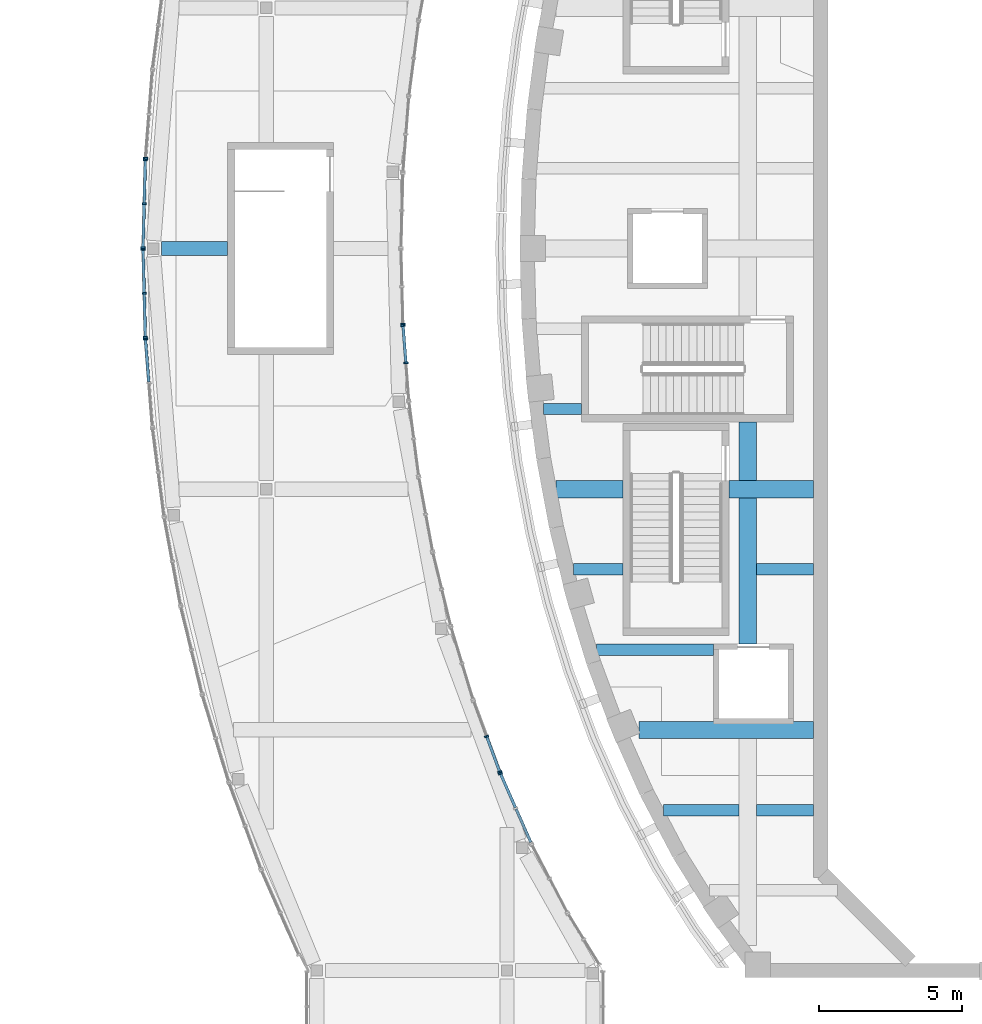
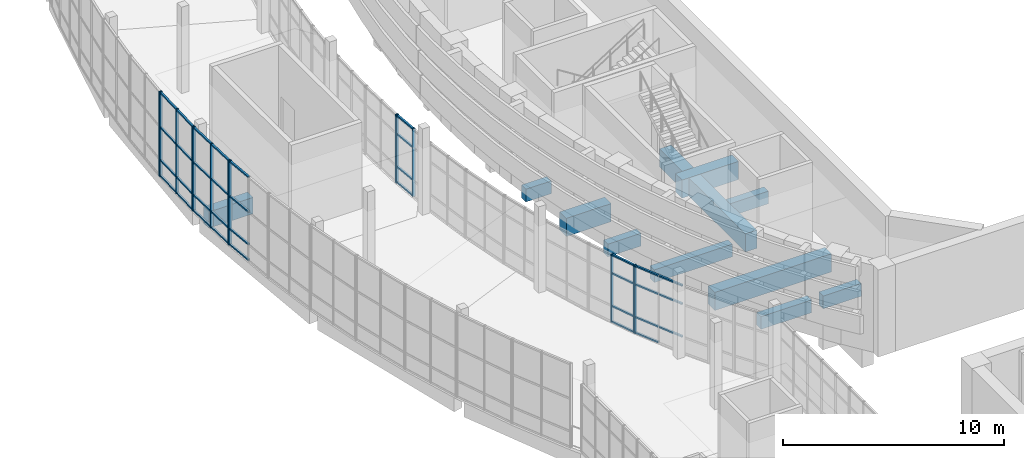
# One storey, part 12 of 103: 49 members, 11 beams, 8 elements without a shape of their own.
"""IFC4 building model written with IfcOpenShell, lengths in metres."""

from ifc_helpers import new_model, si_unit, direction, frame, origin, origin_2d, place, context, subcontext, project, spatial, rectangle, extrude, material, layer, layer_set, material_profile, profile_set, type_object, element, aggregate, save


model = new_model("IFC4")

# Units and contexts
model_context = context("Model", 3, precision=1e-05, world=origin(), true_north=direction((0.0, 1.0)))
body_context = subcontext(model_context, "Body", "Model", "MODEL_VIEW")
ifc_project = project(units=[si_unit("LENGTHUNIT", "METRE"), si_unit("AREAUNIT", "SQUARE_METRE"), si_unit("VOLUMEUNIT", "CUBIC_METRE"), si_unit("PLANEANGLEUNIT", "RADIAN"), si_unit("MASSUNIT", "GRAM", prefix="KILO")], contexts=[model_context])

# Site, building, storey
site_placement = place(None, origin())
site = spatial("IfcSite", under=ifc_project, at=site_placement, CompositionType="ELEMENT")
building_placement = place(site_placement, origin())
building = spatial("IfcBuilding", under=site, at=building_placement, Name="Larchfold Concert Hall", CompositionType="ELEMENT")
storey_placement = place(building_placement, frame((0.0, 0.0, 9.60009765625)))
storey = spatial("IfcBuildingStorey", under=building, at=storey_placement, Name="L02", CompositionType="ELEMENT", Elevation=9.60009765625)

# Curtain wall, member
ifc_material_1 = material(Name="Anodised graphite aluminium curtain wall", Category="aluminium")
ifc_layer = layer(ifc_material_1, 0.14990234375)
ifc_layer_set = layer_set([ifc_layer], Name="Anodised graphite aluminium curtain wall")
curtain_wall_type = type_object("IfcCurtainWallType", Name="Curtain wall WG", PredefinedType="NOTDEFINED", material=ifc_layer_set)
curtain_wall_1_placement = place(storey_placement, origin())
curtain_wall_1 = element("IfcCurtainWall", 1, at=curtain_wall_1_placement, inside=storey, type_object=curtain_wall_type, Name="Curtain wall CW0216", PredefinedType="NOTDEFINED")
ifc_material_2 = material(Name="Anodised graphite aluminium mullion", Category="aluminium")
ifc_material_profile_1 = material_profile(ifc_material_2, rectangle(XDim=0.14990234375, YDim=0.06005859375, at=origin_2d()))
ifc_profile_set_1 = profile_set([ifc_material_profile_1], Name="Anodised graphite aluminium mullion")
member_type_1 = type_object("IfcMemberType", Name="Aluminium mullion 60x150", PredefinedType="MULLION", material=ifc_profile_set_1)
member_1_placement = place(storey_placement, frame((17.16845703125, 66.276611328125, 0.0), z_axis=(0.0, 0.0, 1.0), x_axis=(-0.914743817973, -0.404034339481, 0.0)))
member_1 = element("IfcMember", 2, at=member_1_placement, type_object=member_type_1, Name="CW0216 mullion 3", PredefinedType="MULLION", context=body_context, shape_type="SweptSolid", body=[
    extrude(rectangle(XDim=0.14990234375, YDim=0.06005859375, at=origin_2d()), origin(), (0.0, 0.0, 1.0), 3.75),
])

# Curtain wall, members
curtain_wall_2_placement = place(storey_placement, origin())
curtain_wall_2 = element("IfcCurtainWall", 3, at=curtain_wall_2_placement, inside=storey, type_object=curtain_wall_type, Name="Curtain wall CW0217", PredefinedType="NOTDEFINED")
member_2_placement = place(storey_placement, frame((17.145751953125, 66.33203125, 0.0), z_axis=(0.0, 0.0, 1.0), x_axis=(-0.938001528432, -0.346631119, 0.0)))
member_2 = element("IfcMember", 4, at=member_2_placement, type_object=member_type_1, Name="CW0217 mullion 1", PredefinedType="MULLION", context=body_context, shape_type="SweptSolid", body=[
    extrude(rectangle(XDim=0.14990234375, YDim=0.06005859375, at=origin_2d()), origin(), (0.0, 0.0, 1.0), 3.75),
])
member_3_placement = place(storey_placement, frame((16.688232421875, 67.5703125, 0.0), z_axis=(0.0, 0.0, 1.0), x_axis=(-0.938001528432, -0.346631119, 0.0)))
member_3 = element("IfcMember", 5, at=member_3_placement, type_object=member_type_1, Name="CW0217 mullion 2", PredefinedType="MULLION", context=body_context, shape_type="SweptSolid", body=[
    extrude(rectangle(XDim=0.14990234375, YDim=0.06005859375, at=origin_2d()), origin(), (0.0, 0.0, 1.0), 3.75),
])

curtain_wall_3_placement = place(storey_placement, origin())
curtain_wall_3 = element("IfcCurtainWall", 6, at=curtain_wall_3_placement, inside=storey, type_object=curtain_wall_type, Name="Curtain wall CW0222", PredefinedType="NOTDEFINED")
member_4_placement = place(storey_placement, frame((13.87060546875, 80.61181640625, 0.0), z_axis=(0.0, 0.0, 1.0), x_axis=(-0.996988332974, -0.07755168544, 0.0)))
member_4 = element("IfcMember", 7, at=member_4_placement, type_object=member_type_1, Name="CW0222 mullion 2", PredefinedType="MULLION", context=body_context, shape_type="SweptSolid", body=[
    extrude(rectangle(XDim=0.14990234375, YDim=0.06005859375, at=origin_2d()), origin(), (0.0, 0.0, 1.0), 3.75),
])
member_5_placement = place(storey_placement, frame((13.769775390625, 81.909423828125, 0.0), z_axis=(0.0, 0.0, 1.0), x_axis=(-0.996988332974, -0.07755168544, 0.0)))
member_5 = element("IfcMember", 8, at=member_5_placement, type_object=member_type_1, Name="CW0222 mullion 3", PredefinedType="MULLION", context=body_context, shape_type="SweptSolid", body=[
    extrude(rectangle(XDim=0.14990234375, YDim=0.06005859375, at=origin_2d()), origin(), (0.0, 0.0, 1.0), 3.75),
])

# Curtain wall, member
curtain_wall_4_placement = place(storey_placement, origin())
curtain_wall_4 = element("IfcCurtainWall", 9, at=curtain_wall_4_placement, inside=storey, type_object=curtain_wall_type, Name="Curtain wall CW0223", PredefinedType="NOTDEFINED")
member_6_placement = place(storey_placement, frame((13.7666015625, 81.969482421875, 0.0), z_axis=(0.0, 0.0, 1.0), x_axis=(-0.999667744222, -0.02577598033, 0.0)))
member_6 = element("IfcMember", 10, at=member_6_placement, type_object=member_type_1, Name="CW0223 mullion 1", PredefinedType="MULLION", context=body_context, shape_type="SweptSolid", body=[
    extrude(rectangle(XDim=0.14990234375, YDim=0.06005859375, at=origin_2d()), origin(), (0.0, 0.0, 1.0), 3.75),
])
aggregate(curtain_wall_4, [member_6])

curtain_wall_5_placement = place(storey_placement, origin())
curtain_wall_5 = element("IfcCurtainWall", 11, at=curtain_wall_5_placement, inside=storey, type_object=curtain_wall_type, Name="Curtain wall CW0272", PredefinedType="NOTDEFINED")
member_7_placement = place(storey_placement, frame((4.77880859375, 87.755859375, 0.0), z_axis=(0.0, 0.0, 1.0), x_axis=(0.996995051834, -0.077465260721, 0.0)))
member_7 = element("IfcMember", 12, at=member_7_placement, type_object=member_type_1, Name="CW0272 mullion 3", PredefinedType="MULLION", context=body_context, shape_type="SweptSolid", body=[
    extrude(rectangle(XDim=0.14990234375, YDim=0.06005859375, at=origin_2d()), origin(), (0.0, 0.0, 1.0), 4.64990234375),
])
aggregate(curtain_wall_5, [member_7])

# Curtain wall, members
curtain_wall_6_placement = place(storey_placement, origin())
curtain_wall_6 = element("IfcCurtainWall", 13, at=curtain_wall_6_placement, inside=storey, type_object=curtain_wall_type, Name="Curtain wall CW0273", PredefinedType="NOTDEFINED")
member_8_placement = place(storey_placement, frame((4.775634765625, 87.69580078125, 0.0), z_axis=(0.0, 0.0, 1.0), x_axis=(0.999665970473, -0.025844679897, 0.0)))
member_8 = element("IfcMember", 14, at=member_8_placement, type_object=member_type_1, Name="CW0273 mullion 1", PredefinedType="MULLION", context=body_context, shape_type="SweptSolid", body=[
    extrude(rectangle(XDim=0.14990234375, YDim=0.06005859375, at=origin_2d()), origin(), (0.0, 0.0, 1.0), 4.64990234375),
])
member_9_placement = place(storey_placement, frame((4.73583984375, 86.162841796875, 0.0), z_axis=(0.0, 0.0, 1.0), x_axis=(0.999665970473, -0.025844679897, 0.0)))
member_9 = element("IfcMember", 15, at=member_9_placement, type_object=member_type_1, Name="CW0273 mullion 2", PredefinedType="MULLION", context=body_context, shape_type="SweptSolid", body=[
    extrude(rectangle(XDim=0.14990234375, YDim=0.06005859375, at=origin_2d()), origin(), (0.0, 0.0, 1.0), 4.64990234375),
])
member_10_placement = place(storey_placement, frame((4.6962890625, 84.630126953125, 0.0), z_axis=(0.0, 0.0, 1.0), x_axis=(0.999665970473, -0.025844679897, 0.0)))
member_10 = element("IfcMember", 16, at=member_10_placement, type_object=member_type_1, Name="CW0273 mullion 3", PredefinedType="MULLION", context=body_context, shape_type="SweptSolid", body=[
    extrude(rectangle(XDim=0.14990234375, YDim=0.06005859375, at=origin_2d()), origin(), (0.0, 0.0, 1.0), 4.64990234375),
])

curtain_wall_7_placement = place(storey_placement, origin())
curtain_wall_7 = element("IfcCurtainWall", 17, at=curtain_wall_7_placement, inside=storey, type_object=curtain_wall_type, Name="Curtain wall CW0274", PredefinedType="NOTDEFINED")
member_11_placement = place(storey_placement, frame((4.6962890625, 84.570068359375, 0.0), z_axis=(0.0, 0.0, 1.0), x_axis=(0.999665970473, 0.025844679897, 0.0)))
member_11 = element("IfcMember", 18, at=member_11_placement, type_object=member_type_1, Name="CW0274 mullion 1", PredefinedType="MULLION", context=body_context, shape_type="SweptSolid", body=[
    extrude(rectangle(XDim=0.14990234375, YDim=0.06005859375, at=origin_2d()), origin(), (0.0, 0.0, 1.0), 4.64990234375),
])
member_12_placement = place(storey_placement, frame((4.73583984375, 83.037109375, 0.0), z_axis=(0.0, 0.0, 1.0), x_axis=(0.999665970473, 0.025844679897, 0.0)))
member_12 = element("IfcMember", 19, at=member_12_placement, type_object=member_type_1, Name="CW0274 mullion 2", PredefinedType="MULLION", context=body_context, shape_type="SweptSolid", body=[
    extrude(rectangle(XDim=0.14990234375, YDim=0.06005859375, at=origin_2d()), origin(), (0.0, 0.0, 1.0), 4.64990234375),
])
member_13_placement = place(storey_placement, frame((4.775634765625, 81.50439453125, 0.0), z_axis=(0.0, 0.0, 1.0), x_axis=(0.999665970473, 0.025844679897, 0.0)))
member_13 = element("IfcMember", 20, at=member_13_placement, type_object=member_type_1, Name="CW0274 mullion 3", PredefinedType="MULLION", context=body_context, shape_type="SweptSolid", body=[
    extrude(rectangle(XDim=0.14990234375, YDim=0.06005859375, at=origin_2d()), origin(), (0.0, 0.0, 1.0), 4.64990234375),
])

# Curtain wall, member
curtain_wall_8_placement = place(storey_placement, origin())
curtain_wall_8 = element("IfcCurtainWall", 21, at=curtain_wall_8_placement, inside=storey, type_object=curtain_wall_type, Name="Curtain wall CW0275", PredefinedType="NOTDEFINED")
member_14_placement = place(storey_placement, frame((4.77880859375, 81.4443359375, 0.0), z_axis=(0.0, 0.0, 1.0), x_axis=(0.996995051833, 0.077465260739, 0.0)))
member_14 = element("IfcMember", 22, at=member_14_placement, type_object=member_type_1, Name="CW0275 mullion 1", PredefinedType="MULLION", context=body_context, shape_type="SweptSolid", body=[
    extrude(rectangle(XDim=0.14990234375, YDim=0.06005859375, at=origin_2d()), origin(), (0.0, 0.0, 1.0), 4.64990234375),
])

# Member
ifc_material_3 = material(Name="Anodised graphite aluminium transom", Category="aluminium")
ifc_material_profile_2 = material_profile(ifc_material_3, rectangle(XDim=0.10009765625, YDim=0.080078125, at=origin_2d()))
ifc_profile_set_2 = profile_set([ifc_material_profile_2], Name="Anodised graphite aluminium transom")
member_type_2 = type_object("IfcMemberType", Name="Aluminium transom 80x100", PredefinedType="USERDEFINED", material=ifc_profile_set_2)
member_15_placement = place(storey_placement, frame((18.228759765625, 63.8759765625, 0.89990234375), z_axis=(-0.404010149688, 0.914754502011, 0.0), x_axis=(-0.914754502011, -0.404010149688, 0.0)))
member_15 = element("IfcMember", 23, at=member_15_placement, type_object=member_type_2, Name="CW0216 transom 1.2", ObjectType="TRANSOM", PredefinedType="USERDEFINED", context=body_context, shape_type="SweptSolid", body=[
    extrude(rectangle(XDim=0.10009765625, YDim=0.080078125, at=origin_2d()), origin(), (0.0, 0.0, 1.0), 1.26708984375),
])

member_16_placement = place(storey_placement, frame((18.228759765625, 63.8759765625, 2.699951171875), z_axis=(-0.404010149688, 0.914754502011, 0.0), x_axis=(-0.914754502011, -0.404010149688, 0.0)))
member_16 = element("IfcMember", 24, at=member_16_placement, type_object=member_type_2, Name="CW0216 transom 1.3", ObjectType="TRANSOM", PredefinedType="USERDEFINED", context=body_context, shape_type="SweptSolid", body=[
    extrude(rectangle(XDim=0.10009765625, YDim=0.080078125, at=origin_2d()), origin(), (0.0, 0.0, 1.0), 1.26708984375),
])

member_17_placement = place(storey_placement, frame((18.228759765625, 63.8759765625, 3.7099609375), z_axis=(-0.404010149688, 0.914754502011, 0.0), x_axis=(-0.914754502011, -0.404010149688, 0.0)))
member_17 = element("IfcMember", 25, at=member_17_placement, type_object=member_type_2, Name="CW0216 transom 1.4", ObjectType="TRANSOM", PredefinedType="USERDEFINED", context=body_context, shape_type="SweptSolid", body=[
    extrude(rectangle(XDim=0.10009765625, YDim=0.080078125, at=origin_2d()), origin(), (0.0, 0.0, 1.0), 1.26708984375),
])

member_18_placement = place(storey_placement, frame((17.6923828125, 65.08984375, 0.0400390625), z_axis=(-0.404010149688, 0.914754502011, 0.0), x_axis=(-0.914754502011, -0.404010149688, 0.0)))
member_18 = element("IfcMember", 26, at=member_18_placement, type_object=member_type_2, Name="CW0216 transom 2.1", ObjectType="TRANSOM", PredefinedType="USERDEFINED", context=body_context, shape_type="SweptSolid", body=[
    extrude(rectangle(XDim=0.10009765625, YDim=0.080078125, at=origin_2d()), origin(), (0.0, 0.0, 1.0), 1.26708984375),
])

member_19_placement = place(storey_placement, frame((17.6923828125, 65.08984375, 0.89990234375), z_axis=(-0.404010149688, 0.914754502011, 0.0), x_axis=(-0.914754502011, -0.404010149688, 0.0)))
member_19 = element("IfcMember", 27, at=member_19_placement, type_object=member_type_2, Name="CW0216 transom 2.2", ObjectType="TRANSOM", PredefinedType="USERDEFINED", context=body_context, shape_type="SweptSolid", body=[
    extrude(rectangle(XDim=0.10009765625, YDim=0.080078125, at=origin_2d()), origin(), (0.0, 0.0, 1.0), 1.26708984375),
])

member_20_placement = place(storey_placement, frame((17.6923828125, 65.08984375, 2.699951171875), z_axis=(-0.404010149688, 0.914754502011, 0.0), x_axis=(-0.914754502011, -0.404010149688, 0.0)))
member_20 = element("IfcMember", 28, at=member_20_placement, type_object=member_type_2, Name="CW0216 transom 2.3", ObjectType="TRANSOM", PredefinedType="USERDEFINED", context=body_context, shape_type="SweptSolid", body=[
    extrude(rectangle(XDim=0.10009765625, YDim=0.080078125, at=origin_2d()), origin(), (0.0, 0.0, 1.0), 1.26708984375),
])

member_21_placement = place(storey_placement, frame((17.6923828125, 65.08984375, 3.7099609375), z_axis=(-0.404010149688, 0.914754502011, 0.0), x_axis=(-0.914754502011, -0.404010149688, 0.0)))
member_21 = element("IfcMember", 29, at=member_21_placement, type_object=member_type_2, Name="CW0216 transom 2.4", ObjectType="TRANSOM", PredefinedType="USERDEFINED", context=body_context, shape_type="SweptSolid", body=[
    extrude(rectangle(XDim=0.10009765625, YDim=0.080078125, at=origin_2d()), origin(), (0.0, 0.0, 1.0), 1.26708984375),
])

aggregate(curtain_wall_1, [member_1, member_15, member_16, member_17, member_18, member_19, member_20, member_21])

member_22_placement = place(storey_placement, frame((17.135498046875, 66.3603515625, 0.0400390625), z_axis=(-0.346639022733, 0.937998607631, 0.0), x_axis=(-0.937998607631, -0.346639022733, 0.0)))
member_22 = element("IfcMember", 30, at=member_22_placement, type_object=member_type_2, Name="CW0217 transom 1.1", ObjectType="TRANSOM", PredefinedType="USERDEFINED", context=body_context, shape_type="SweptSolid", body=[
    extrude(rectangle(XDim=0.10009765625, YDim=0.080078125, at=origin_2d()), origin(), (0.0, 0.0, 1.0), 1.260009765625),
])

member_23_placement = place(storey_placement, frame((17.135498046875, 66.3603515625, 0.89990234375), z_axis=(-0.346639022733, 0.937998607631, 0.0), x_axis=(-0.937998607631, -0.346639022733, 0.0)))
member_23 = element("IfcMember", 31, at=member_23_placement, type_object=member_type_2, Name="CW0217 transom 1.2", ObjectType="TRANSOM", PredefinedType="USERDEFINED", context=body_context, shape_type="SweptSolid", body=[
    extrude(rectangle(XDim=0.10009765625, YDim=0.080078125, at=origin_2d()), origin(), (0.0, 0.0, 1.0), 1.260009765625),
])

member_24_placement = place(storey_placement, frame((17.135498046875, 66.3603515625, 2.699951171875), z_axis=(-0.346639022733, 0.937998607631, 0.0), x_axis=(-0.937998607631, -0.346639022733, 0.0)))
member_24 = element("IfcMember", 32, at=member_24_placement, type_object=member_type_2, Name="CW0217 transom 1.3", ObjectType="TRANSOM", PredefinedType="USERDEFINED", context=body_context, shape_type="SweptSolid", body=[
    extrude(rectangle(XDim=0.10009765625, YDim=0.080078125, at=origin_2d()), origin(), (0.0, 0.0, 1.0), 1.260009765625),
])

member_25_placement = place(storey_placement, frame((17.135498046875, 66.3603515625, 3.7099609375), z_axis=(-0.346639022733, 0.937998607631, 0.0), x_axis=(-0.937998607631, -0.346639022733, 0.0)))
member_25 = element("IfcMember", 33, at=member_25_placement, type_object=member_type_2, Name="CW0217 transom 1.4", ObjectType="TRANSOM", PredefinedType="USERDEFINED", context=body_context, shape_type="SweptSolid", body=[
    extrude(rectangle(XDim=0.10009765625, YDim=0.080078125, at=origin_2d()), origin(), (0.0, 0.0, 1.0), 1.260009765625),
])

aggregate(curtain_wall_2, [member_2, member_3, member_22, member_23, member_24, member_25])

member_26_placement = place(storey_placement, frame((13.8681640625, 80.641845703125, 0.0400390625), z_axis=(-0.077478431398, 0.996994028401, 0.0), x_axis=(-0.996994028401, -0.077478431398, 0.0)))
member_26 = element("IfcMember", 34, at=member_26_placement, type_object=member_type_2, Name="CW0222 transom 2.1", ObjectType="TRANSOM", PredefinedType="USERDEFINED", context=body_context, shape_type="SweptSolid", body=[
    extrude(rectangle(XDim=0.10009765625, YDim=0.080078125, at=origin_2d()), origin(), (0.0, 0.0, 1.0), 1.241455078125),
])

member_27_placement = place(storey_placement, frame((13.8681640625, 80.641845703125, 0.89990234375), z_axis=(-0.077478431398, 0.996994028401, 0.0), x_axis=(-0.996994028401, -0.077478431398, 0.0)))
member_27 = element("IfcMember", 35, at=member_27_placement, type_object=member_type_2, Name="CW0222 transom 2.2", ObjectType="TRANSOM", PredefinedType="USERDEFINED", context=body_context, shape_type="SweptSolid", body=[
    extrude(rectangle(XDim=0.10009765625, YDim=0.080078125, at=origin_2d()), origin(), (0.0, 0.0, 1.0), 1.241455078125),
])

member_28_placement = place(storey_placement, frame((13.8681640625, 80.641845703125, 2.699951171875), z_axis=(-0.077478431398, 0.996994028401, 0.0), x_axis=(-0.996994028401, -0.077478431398, 0.0)))
member_28 = element("IfcMember", 36, at=member_28_placement, type_object=member_type_2, Name="CW0222 transom 2.3", ObjectType="TRANSOM", PredefinedType="USERDEFINED", context=body_context, shape_type="SweptSolid", body=[
    extrude(rectangle(XDim=0.10009765625, YDim=0.080078125, at=origin_2d()), origin(), (0.0, 0.0, 1.0), 1.241455078125),
])

member_29_placement = place(storey_placement, frame((13.8681640625, 80.641845703125, 3.7099609375), z_axis=(-0.077478431398, 0.996994028401, 0.0), x_axis=(-0.996994028401, -0.077478431398, 0.0)))
member_29 = element("IfcMember", 37, at=member_29_placement, type_object=member_type_2, Name="CW0222 transom 2.4", ObjectType="TRANSOM", PredefinedType="USERDEFINED", context=body_context, shape_type="SweptSolid", body=[
    extrude(rectangle(XDim=0.10009765625, YDim=0.080078125, at=origin_2d()), origin(), (0.0, 0.0, 1.0), 1.241455078125),
])

aggregate(curtain_wall_3, [member_4, member_5, member_26, member_27, member_28, member_29])

member_30_placement = place(storey_placement, frame((4.77490234375, 87.665771484375, 0.0400390625), z_axis=(-0.025849141952, -0.999665855104, 0.0), x_axis=(0.999665855104, -0.025849141952, 0.0)))
member_30 = element("IfcMember", 38, at=member_30_placement, type_object=member_type_2, Name="CW0273 transom 1.1", ObjectType="TRANSOM", PredefinedType="USERDEFINED", context=body_context, shape_type="SweptSolid", body=[
    extrude(rectangle(XDim=0.10009765625, YDim=0.080078125, at=origin_2d()), origin(), (0.0, 0.0, 1.0), 1.473388671875),
])

member_31_placement = place(storey_placement, frame((4.77490234375, 87.665771484375, 0.89990234375), z_axis=(-0.025849141952, -0.999665855104, 0.0), x_axis=(0.999665855104, -0.025849141952, 0.0)))
member_31 = element("IfcMember", 39, at=member_31_placement, type_object=member_type_2, Name="CW0273 transom 1.2", ObjectType="TRANSOM", PredefinedType="USERDEFINED", context=body_context, shape_type="SweptSolid", body=[
    extrude(rectangle(XDim=0.10009765625, YDim=0.080078125, at=origin_2d()), origin(), (0.0, 0.0, 1.0), 1.473388671875),
])

member_32_placement = place(storey_placement, frame((4.77490234375, 87.665771484375, 2.699951171875), z_axis=(-0.025849141952, -0.999665855104, 0.0), x_axis=(0.999665855104, -0.025849141952, 0.0)))
member_32 = element("IfcMember", 40, at=member_32_placement, type_object=member_type_2, Name="CW0273 transom 1.3", ObjectType="TRANSOM", PredefinedType="USERDEFINED", context=body_context, shape_type="SweptSolid", body=[
    extrude(rectangle(XDim=0.10009765625, YDim=0.080078125, at=origin_2d()), origin(), (0.0, 0.0, 1.0), 1.473388671875),
])

member_33_placement = place(storey_placement, frame((4.77490234375, 87.665771484375, 4.60986328125), z_axis=(-0.025849141952, -0.999665855104, 0.0), x_axis=(0.999665855104, -0.025849141952, 0.0)))
member_33 = element("IfcMember", 41, at=member_33_placement, type_object=member_type_2, Name="CW0273 transom 1.4", ObjectType="TRANSOM", PredefinedType="USERDEFINED", context=body_context, shape_type="SweptSolid", body=[
    extrude(rectangle(XDim=0.10009765625, YDim=0.080078125, at=origin_2d()), origin(), (0.0, 0.0, 1.0), 1.473388671875),
])

member_34_placement = place(storey_placement, frame((4.735107421875, 86.133056640625, 0.0400390625), z_axis=(-0.025849141952, -0.999665855104, 0.0), x_axis=(0.999665855104, -0.025849141952, 0.0)))
member_34 = element("IfcMember", 42, at=member_34_placement, type_object=member_type_2, Name="CW0273 transom 2.1", ObjectType="TRANSOM", PredefinedType="USERDEFINED", context=body_context, shape_type="SweptSolid", body=[
    extrude(rectangle(XDim=0.10009765625, YDim=0.080078125, at=origin_2d()), origin(), (0.0, 0.0, 1.0), 1.473388671875),
])

member_35_placement = place(storey_placement, frame((4.735107421875, 86.133056640625, 0.89990234375), z_axis=(-0.025849141952, -0.999665855104, 0.0), x_axis=(0.999665855104, -0.025849141952, 0.0)))
member_35 = element("IfcMember", 43, at=member_35_placement, type_object=member_type_2, Name="CW0273 transom 2.2", ObjectType="TRANSOM", PredefinedType="USERDEFINED", context=body_context, shape_type="SweptSolid", body=[
    extrude(rectangle(XDim=0.10009765625, YDim=0.080078125, at=origin_2d()), origin(), (0.0, 0.0, 1.0), 1.473388671875),
])

member_36_placement = place(storey_placement, frame((4.735107421875, 86.133056640625, 2.699951171875), z_axis=(-0.025849141952, -0.999665855104, 0.0), x_axis=(0.999665855104, -0.025849141952, 0.0)))
member_36 = element("IfcMember", 44, at=member_36_placement, type_object=member_type_2, Name="CW0273 transom 2.3", ObjectType="TRANSOM", PredefinedType="USERDEFINED", context=body_context, shape_type="SweptSolid", body=[
    extrude(rectangle(XDim=0.10009765625, YDim=0.080078125, at=origin_2d()), origin(), (0.0, 0.0, 1.0), 1.473388671875),
])

member_37_placement = place(storey_placement, frame((4.735107421875, 86.133056640625, 4.60986328125), z_axis=(-0.025849141952, -0.999665855104, 0.0), x_axis=(0.999665855104, -0.025849141952, 0.0)))
member_37 = element("IfcMember", 45, at=member_37_placement, type_object=member_type_2, Name="CW0273 transom 2.4", ObjectType="TRANSOM", PredefinedType="USERDEFINED", context=body_context, shape_type="SweptSolid", body=[
    extrude(rectangle(XDim=0.10009765625, YDim=0.080078125, at=origin_2d()), origin(), (0.0, 0.0, 1.0), 1.473388671875),
])

aggregate(curtain_wall_6, [member_8, member_9, member_10, member_30, member_31, member_32, member_33, member_34, member_35, member_36, member_37])

member_38_placement = place(storey_placement, frame((4.697021484375, 84.5400390625, 0.0400390625), z_axis=(0.025849141952, -0.999665855104, 0.0), x_axis=(0.999665855104, 0.025849141952, 0.0)))
member_38 = element("IfcMember", 46, at=member_38_placement, type_object=member_type_2, Name="CW0274 transom 1.1", ObjectType="TRANSOM", PredefinedType="USERDEFINED", context=body_context, shape_type="SweptSolid", body=[
    extrude(rectangle(XDim=0.10009765625, YDim=0.080078125, at=origin_2d()), origin(), (0.0, 0.0, 1.0), 1.473388671875),
])

member_39_placement = place(storey_placement, frame((4.697021484375, 84.5400390625, 0.89990234375), z_axis=(0.025849141952, -0.999665855104, 0.0), x_axis=(0.999665855104, 0.025849141952, 0.0)))
member_39 = element("IfcMember", 47, at=member_39_placement, type_object=member_type_2, Name="CW0274 transom 1.2", ObjectType="TRANSOM", PredefinedType="USERDEFINED", context=body_context, shape_type="SweptSolid", body=[
    extrude(rectangle(XDim=0.10009765625, YDim=0.080078125, at=origin_2d()), origin(), (0.0, 0.0, 1.0), 1.473388671875),
])

member_40_placement = place(storey_placement, frame((4.697021484375, 84.5400390625, 2.699951171875), z_axis=(0.025849141952, -0.999665855104, 0.0), x_axis=(0.999665855104, 0.025849141952, 0.0)))
member_40 = element("IfcMember", 48, at=member_40_placement, type_object=member_type_2, Name="CW0274 transom 1.3", ObjectType="TRANSOM", PredefinedType="USERDEFINED", context=body_context, shape_type="SweptSolid", body=[
    extrude(rectangle(XDim=0.10009765625, YDim=0.080078125, at=origin_2d()), origin(), (0.0, 0.0, 1.0), 1.473388671875),
])

member_41_placement = place(storey_placement, frame((4.697021484375, 84.5400390625, 4.60986328125), z_axis=(0.025849141952, -0.999665855104, 0.0), x_axis=(0.999665855104, 0.025849141952, 0.0)))
member_41 = element("IfcMember", 49, at=member_41_placement, type_object=member_type_2, Name="CW0274 transom 1.4", ObjectType="TRANSOM", PredefinedType="USERDEFINED", context=body_context, shape_type="SweptSolid", body=[
    extrude(rectangle(XDim=0.10009765625, YDim=0.080078125, at=origin_2d()), origin(), (0.0, 0.0, 1.0), 1.473388671875),
])

member_42_placement = place(storey_placement, frame((4.73681640625, 83.00732421875, 0.0400390625), z_axis=(0.025849141952, -0.999665855104, 0.0), x_axis=(0.999665855104, 0.025849141952, 0.0)))
member_42 = element("IfcMember", 50, at=member_42_placement, type_object=member_type_2, Name="CW0274 transom 2.1", ObjectType="TRANSOM", PredefinedType="USERDEFINED", context=body_context, shape_type="SweptSolid", body=[
    extrude(rectangle(XDim=0.10009765625, YDim=0.080078125, at=origin_2d()), origin(), (0.0, 0.0, 1.0), 1.473388671875),
])

member_43_placement = place(storey_placement, frame((4.73681640625, 83.00732421875, 0.89990234375), z_axis=(0.025849141952, -0.999665855104, 0.0), x_axis=(0.999665855104, 0.025849141952, 0.0)))
member_43 = element("IfcMember", 51, at=member_43_placement, type_object=member_type_2, Name="CW0274 transom 2.2", ObjectType="TRANSOM", PredefinedType="USERDEFINED", context=body_context, shape_type="SweptSolid", body=[
    extrude(rectangle(XDim=0.10009765625, YDim=0.080078125, at=origin_2d()), origin(), (0.0, 0.0, 1.0), 1.473388671875),
])

member_44_placement = place(storey_placement, frame((4.73681640625, 83.00732421875, 2.699951171875), z_axis=(0.025849141952, -0.999665855104, 0.0), x_axis=(0.999665855104, 0.025849141952, 0.0)))
member_44 = element("IfcMember", 52, at=member_44_placement, type_object=member_type_2, Name="CW0274 transom 2.3", ObjectType="TRANSOM", PredefinedType="USERDEFINED", context=body_context, shape_type="SweptSolid", body=[
    extrude(rectangle(XDim=0.10009765625, YDim=0.080078125, at=origin_2d()), origin(), (0.0, 0.0, 1.0), 1.473388671875),
])

member_45_placement = place(storey_placement, frame((4.73681640625, 83.00732421875, 4.60986328125), z_axis=(0.025849141952, -0.999665855104, 0.0), x_axis=(0.999665855104, 0.025849141952, 0.0)))
member_45 = element("IfcMember", 53, at=member_45_placement, type_object=member_type_2, Name="CW0274 transom 2.4", ObjectType="TRANSOM", PredefinedType="USERDEFINED", context=body_context, shape_type="SweptSolid", body=[
    extrude(rectangle(XDim=0.10009765625, YDim=0.080078125, at=origin_2d()), origin(), (0.0, 0.0, 1.0), 1.473388671875),
])

aggregate(curtain_wall_7, [member_11, member_12, member_13, member_38, member_39, member_40, member_41, member_42, member_43, member_44, member_45])

member_46_placement = place(storey_placement, frame((4.781005859375, 81.41455078125, 0.0400390625), z_axis=(0.077391996533, -0.997000741661, 0.0), x_axis=(0.997000741661, 0.077391996533, 0.0)))
member_46 = element("IfcMember", 54, at=member_46_placement, type_object=member_type_2, Name="CW0275 transom 1.1", ObjectType="TRANSOM", PredefinedType="USERDEFINED", context=body_context, shape_type="SweptSolid", body=[
    extrude(rectangle(XDim=0.10009765625, YDim=0.080078125, at=origin_2d()), origin(), (0.0, 0.0, 1.0), 1.476318359375),
])

member_47_placement = place(storey_placement, frame((4.781005859375, 81.41455078125, 0.89990234375), z_axis=(0.077391996533, -0.997000741661, 0.0), x_axis=(0.997000741661, 0.077391996533, 0.0)))
member_47 = element("IfcMember", 55, at=member_47_placement, type_object=member_type_2, Name="CW0275 transom 1.2", ObjectType="TRANSOM", PredefinedType="USERDEFINED", context=body_context, shape_type="SweptSolid", body=[
    extrude(rectangle(XDim=0.10009765625, YDim=0.080078125, at=origin_2d()), origin(), (0.0, 0.0, 1.0), 1.476318359375),
])

member_48_placement = place(storey_placement, frame((4.781005859375, 81.41455078125, 2.699951171875), z_axis=(0.077391996533, -0.997000741661, 0.0), x_axis=(0.997000741661, 0.077391996533, 0.0)))
member_48 = element("IfcMember", 56, at=member_48_placement, type_object=member_type_2, Name="CW0275 transom 1.3", ObjectType="TRANSOM", PredefinedType="USERDEFINED", context=body_context, shape_type="SweptSolid", body=[
    extrude(rectangle(XDim=0.10009765625, YDim=0.080078125, at=origin_2d()), origin(), (0.0, 0.0, 1.0), 1.476318359375),
])

member_49_placement = place(storey_placement, frame((4.781005859375, 81.41455078125, 4.60986328125), z_axis=(0.077391996533, -0.997000741661, 0.0), x_axis=(0.997000741661, 0.077391996533, 0.0)))
member_49 = element("IfcMember", 57, at=member_49_placement, type_object=member_type_2, Name="CW0275 transom 1.4", ObjectType="TRANSOM", PredefinedType="USERDEFINED", context=body_context, shape_type="SweptSolid", body=[
    extrude(rectangle(XDim=0.10009765625, YDim=0.080078125, at=origin_2d()), origin(), (0.0, 0.0, 1.0), 1.476318359375),
])

aggregate(curtain_wall_8, [member_14, member_46, member_47, member_48, member_49])

# Beams
ifc_material_4 = material(Name="Concrete C35/45", Category="concrete")
ifc_material_profile_3 = material_profile(ifc_material_4, rectangle(XDim=0.39990234375, YDim=0.699951171875, at=origin_2d()))
ifc_profile_set_3 = profile_set([ifc_material_profile_3], Name="Concrete C35/45")
beam_type_1 = type_object("IfcBeamType", Name="Beam RC 400x700", PredefinedType="BEAM", material=ifc_profile_set_3)
beam_1_placement = place(storey_placement, frame((22.860107421875, 65.0, -0.550048828125), z_axis=(1.0, 0.0, 0.0), x_axis=(0.0, 1.0, 0.0)))
element("IfcBeam", 58, at=beam_1_placement, inside=storey, type_object=beam_type_1, Name="Beam B1307", PredefinedType="BEAM", context=body_context, shape_type="SweptSolid", body=[
    extrude(rectangle(XDim=0.39990234375, YDim=0.699951171875, at=origin_2d()), origin(), (0.0, 0.0, 1.0), 2.639892578125),
])
beam_2_placement = place(storey_placement, frame((26.10009765625, 65.0, -0.550048828125), z_axis=(1.0, 0.0, 0.0), x_axis=(0.0, 1.0, 0.0)))
element("IfcBeam", 59, at=beam_2_placement, inside=storey, type_object=beam_type_1, Name="Beam B1308", PredefinedType="BEAM", context=body_context, shape_type="SweptSolid", body=[
    extrude(rectangle(XDim=0.39990234375, YDim=0.699951171875, at=origin_2d()), origin(), (0.0, 0.0, 1.0), 1.989990234375),
])
beam_3_placement = place(storey_placement, frame((20.525634765625, 70.60009765625, -0.550048828125), z_axis=(1.0, 0.0, 0.0), x_axis=(0.0, 1.0, 0.0)))
element("IfcBeam", 60, at=beam_3_placement, inside=storey, type_object=beam_type_1, Name="Beam B1311", PredefinedType="BEAM", context=body_context, shape_type="SweptSolid", body=[
    extrude(rectangle(XDim=0.39990234375, YDim=0.699951171875, at=origin_2d()), origin(), (0.0, 0.0, 1.0), 4.074462890625),
])
beam_4_placement = place(storey_placement, frame((19.72119140625, 73.39990234375, -0.550048828125), z_axis=(1.0, 0.0, 0.0), x_axis=(0.0, 1.0, 0.0)))
element("IfcBeam", 61, at=beam_4_placement, inside=storey, type_object=beam_type_1, Name="Beam B1313", PredefinedType="BEAM", context=body_context, shape_type="SweptSolid", body=[
    extrude(rectangle(XDim=0.39990234375, YDim=0.699951171875, at=origin_2d()), origin(), (0.0, 0.0, 1.0), 1.728759765625),
])
beam_5_placement = place(storey_placement, frame((26.10009765625, 73.39990234375, -0.550048828125), z_axis=(1.0, 0.0, 0.0), x_axis=(0.0, 1.0, 0.0)))
element("IfcBeam", 62, at=beam_5_placement, inside=storey, type_object=beam_type_1, Name="Beam B1314", PredefinedType="BEAM", context=body_context, shape_type="SweptSolid", body=[
    extrude(rectangle(XDim=0.39990234375, YDim=0.699951171875, at=origin_2d()), origin(), (0.0, 0.0, 1.0), 1.989990234375),
])
beam_6_placement = place(storey_placement, frame((18.68017578125, 79.0, -0.550048828125), z_axis=(1.0, 0.0, 0.0), x_axis=(0.0, 1.0, 0.0)))
element("IfcBeam", 63, at=beam_6_placement, inside=storey, type_object=beam_type_1, Name="Beam B1317", PredefinedType="BEAM", context=body_context, shape_type="SweptSolid", body=[
    extrude(rectangle(XDim=0.39990234375, YDim=0.699951171875, at=origin_2d()), origin(), (0.0, 0.0, 1.0), 1.31982421875),
])
ifc_material_5 = material(Name="Concrete C35/45", Category="concrete")
ifc_material_profile_4 = material_profile(ifc_material_5, rectangle(XDim=0.5, YDim=0.89990234375, at=origin_2d()))
ifc_profile_set_4 = profile_set([ifc_material_profile_4], Name="Concrete C35/45")
beam_type_2 = type_object("IfcBeamType", Name="Beam RC 500x900", PredefinedType="BEAM", material=ifc_profile_set_4)
beam_7_placement = place(storey_placement, frame((5.3447265625, 84.60009765625, -0.60009765625), z_axis=(1.0, 0.0, 0.0), x_axis=(0.0, 1.0, 0.0)))
element("IfcBeam", 64, at=beam_7_placement, inside=storey, type_object=beam_type_2, Name="Beam B1991", PredefinedType="BEAM", context=body_context, shape_type="SweptSolid", body=[
    extrude(rectangle(XDim=0.5, YDim=0.89990234375, at=origin_2d()), origin(), (0.0, 0.0, 1.0), 2.30517578125),
])
ifc_material_6 = material(Name="Concrete C35/45", Category="concrete")
ifc_material_profile_5 = material_profile(ifc_material_6, rectangle(XDim=0.60009765625, YDim=1.0, at=origin_2d()))
ifc_profile_set_5 = profile_set([ifc_material_profile_5], Name="Concrete C35/45")
beam_type_3 = type_object("IfcBeamType", Name="Beam RC 600x1000", PredefinedType="BEAM", material=ifc_profile_set_5)
beam_8_placement = place(storey_placement, frame((25.800048828125, 70.800048828125, -0.7001953125), z_axis=(0.0, 1.0, 0.0), x_axis=(-1.0, 0.0, 0.0)))
element("IfcBeam", 65, at=beam_8_placement, inside=storey, type_object=beam_type_3, Name="Beam B1268", PredefinedType="BEAM", context=body_context, shape_type="SweptSolid", body=[
    extrude(rectangle(XDim=0.60009765625, YDim=1.0, at=origin_2d()), origin(), (0.0, 0.0, 1.0), 7.75),
])
beam_9_placement = place(storey_placement, frame((22.001708984375, 67.800048828125, -0.7001953125), z_axis=(1.0, 0.0, 0.0), x_axis=(0.0, 1.0, 0.0)))
element("IfcBeam", 66, at=beam_9_placement, inside=storey, type_object=beam_type_3, Name="Beam B1281", PredefinedType="BEAM", context=body_context, shape_type="SweptSolid", body=[
    extrude(rectangle(XDim=0.60009765625, YDim=1.0, at=origin_2d()), origin(), (0.0, 0.0, 1.0), 6.08837890625),
])
beam_10_placement = place(storey_placement, frame((19.1103515625, 76.199951171875, -0.7001953125), z_axis=(1.0, 0.0, 0.0), x_axis=(0.0, 1.0, 0.0)))
element("IfcBeam", 67, at=beam_10_placement, inside=storey, type_object=beam_type_3, Name="Beam B1283", PredefinedType="BEAM", context=body_context, shape_type="SweptSolid", body=[
    extrude(rectangle(XDim=0.60009765625, YDim=1.0, at=origin_2d()), origin(), (0.0, 0.0, 1.0), 2.339599609375),
])
beam_11_placement = place(storey_placement, frame((25.14990234375, 76.199951171875, -0.7001953125), z_axis=(1.0, 0.0, 0.0), x_axis=(0.0, 1.0, 0.0)))
element("IfcBeam", 68, at=beam_11_placement, inside=storey, type_object=beam_type_3, Name="Beam B1284", PredefinedType="BEAM", context=body_context, shape_type="SweptSolid", body=[
    extrude(rectangle(XDim=0.60009765625, YDim=1.0, at=origin_2d()), origin(), (0.0, 0.0, 1.0), 2.940185546875),
])

save(model, "model.ifc")
